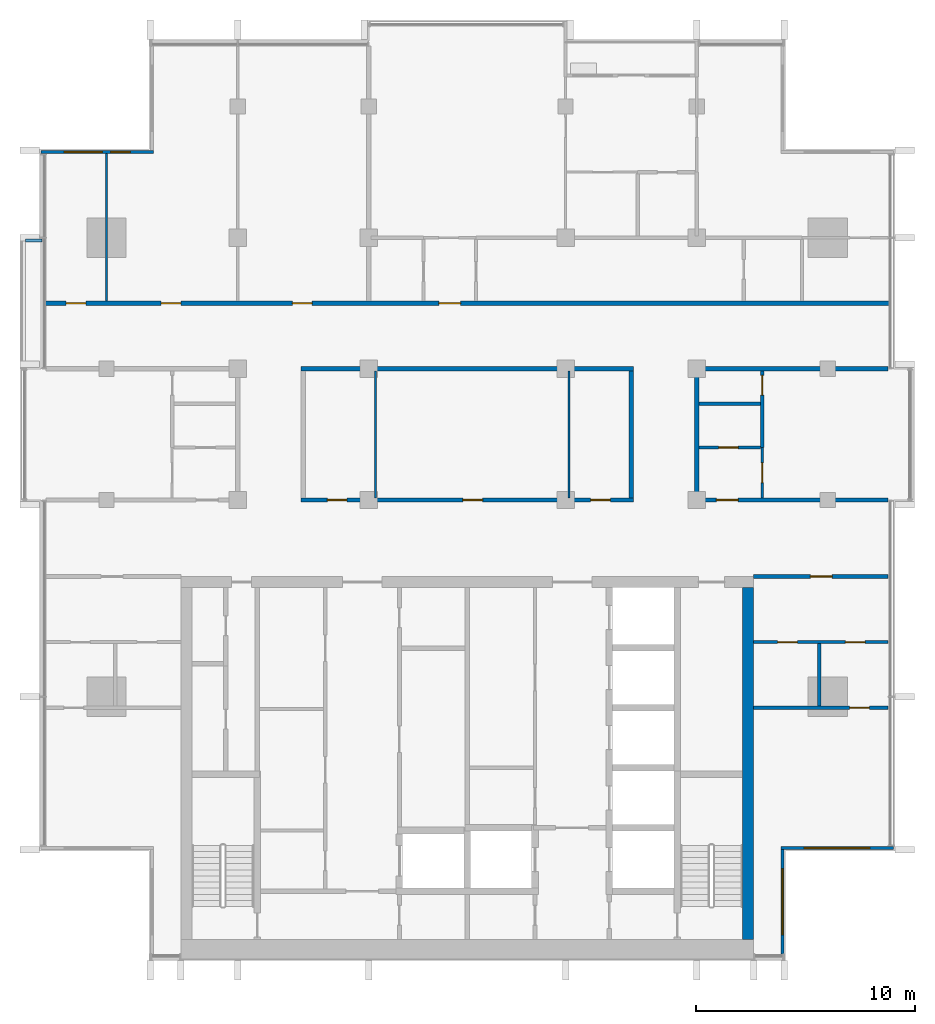
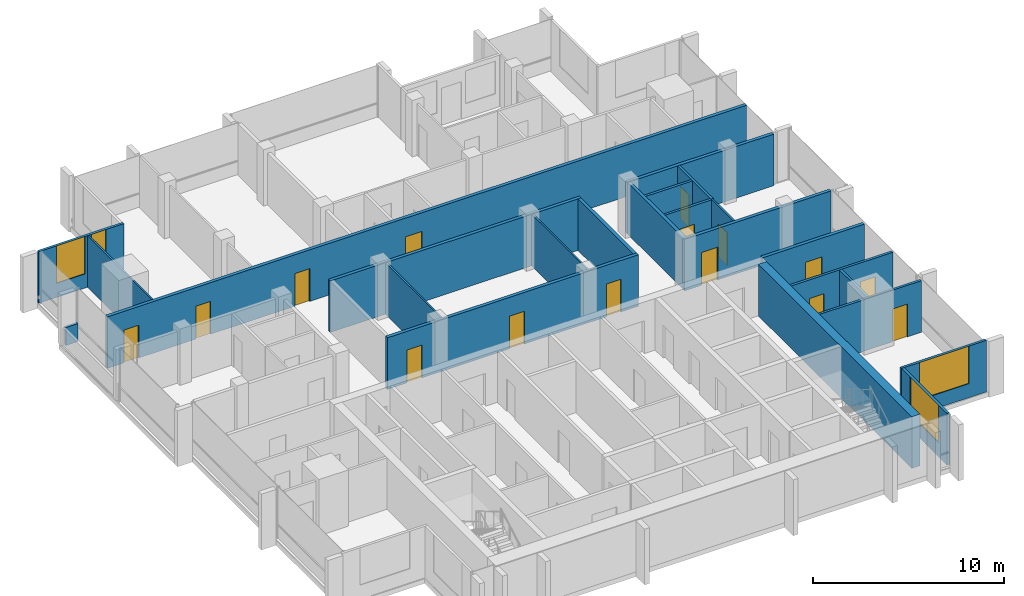
# One storey, part 9 of 16: 23 walls, 15 doors, 4 windows, 19 openings.
"""IFC4 building model written with IfcOpenShell, lengths in metres."""

from ifc_helpers import new_model, si_unit, direction, frame, frame_2d, origin, place, context, subcontext, project, spatial, rectangle, extrude, material, layer, layer_set, type_object, element, fill, save


model = new_model("IFC4")

# Units and contexts
model_context = context("Model", 3, precision=1e-05, world=origin(), true_north=direction((0.0, 1.0)))
body_context = subcontext(model_context, "Body", "Model", "MODEL_VIEW")
ifc_project = project(units=[si_unit("LENGTHUNIT", "METRE"), si_unit("AREAUNIT", "SQUARE_METRE"), si_unit("VOLUMEUNIT", "CUBIC_METRE"), si_unit("PLANEANGLEUNIT", "RADIAN"), si_unit("MASSUNIT", "GRAM", prefix="KILO")], contexts=[model_context])

# Site, building, storey
site_placement = place(None, origin())
site = spatial("IfcSite", under=ifc_project, at=site_placement, CompositionType="ELEMENT")
building_placement = place(site_placement, origin())
building = spatial("IfcBuilding", under=site, at=building_placement, Name="Finial Court Residences", CompositionType="ELEMENT")
storey_placement = place(building_placement, frame((0.0, 0.0, 262.699951171875)))
storey = spatial("IfcBuildingStorey", under=building, at=storey_placement, Name="L66", CompositionType="ELEMENT", Elevation=262.699951171875)

# Wall
ifc_material_1 = material(Name="Concrete C50/60", Category="concrete")
ifc_layer_1 = layer(ifc_material_1, 0.5)
ifc_layer_set_1 = layer_set([ifc_layer_1], Name="Core outer wall 500 Concrete C50/60")
wall_type_1 = type_object("IfcWallType", Name="Core outer wall 500 Concrete C50/60", PredefinedType="SHEAR", material=ifc_layer_set_1)
wall_1_placement = place(storey_placement, frame((12.85009765625, -24.60009765625, 0.0), z_axis=(0.0, 0.0, 1.0), x_axis=(0.0, 1.0, 0.0)))
element("IfcWall", 1, at=wall_1_placement, inside=storey, type_object=wall_type_1, Name="Core outer wall L66-04", PredefinedType="SHEAR", context=body_context, shape_type="SweptSolid", body=[
    extrude(rectangle(XDim=16.10009765625, YDim=0.5, at=frame_2d((8.050048828125, 0.0))), origin(), (0.0, 0.0, 1.0), 3.300048828125),
])

# Wall, opening, door
ifc_material_2 = material(Name="Gypsum board")
ifc_layer_2 = layer(ifc_material_2, 0.02490234375)
ifc_material_3 = material(Name="Acoustic mineral wool in double frame")
ifc_layer_3 = layer(ifc_material_3, 0.14990234375)
ifc_layer_4 = layer(ifc_material_2, 0.02490234375)
ifc_layer_set_2 = layer_set([ifc_layer_2, ifc_layer_3, ifc_layer_4], Name="Corridor wall 200, 1 hour")
wall_type_2 = type_object("IfcWallType", Name="Corridor wall 200, 1 hour", PredefinedType="PARTITIONING", material=ifc_layer_set_2)
wall_2_placement = place(storey_placement, frame((13.10009765625, -8.0, 0.0), z_axis=(0.0, 0.0, 1.0), x_axis=(1.0, 0.0, 0.0)))
wall_2 = element("IfcWall", 2, at=wall_2_placement, inside=storey, type_object=wall_type_2, Name="Partition L66-005", PredefinedType="PARTITIONING", context=body_context, shape_type="SweptSolid", body=[
    extrude(rectangle(XDim=6.162353515625, YDim=0.199951171875, at=frame_2d((3.0810546875, 0.0))), origin(), (0.0, 0.0, 1.0), 3.300048828125),
])
opening_1_placement = place(wall_2_placement, frame((2.60009765625, 0.0, 0.0)))
opening_1 = element("IfcOpeningElement", 3, at=opening_1_placement, cuts=wall_2, Name="Opening L66-D008", PredefinedType="OPENING", context=body_context, shape_type="SweptSolid", body=[
    extrude(rectangle(XDim=1.0, YDim=2.10009765625, at=frame_2d((0.5, 1.050048828125))), frame((0.0, 0.10986328125, 0.0), z_axis=(0.0, -1.0, 0.0), x_axis=(1.0, 0.0, 0.0)), (0.0, 0.0, 1.0), 0.219970703125),
])
ifc_material_4 = material(Name="Timber door leaf in hollow metal frame", Category="wood")
door_type_1 = type_object("IfcDoorType", Name="Fire door set 1000 x 2100, 30 minutes", OperationType="SINGLE_SWING_LEFT", PredefinedType="DOOR", material=ifc_material_4)
door_1_placement = place(opening_1_placement, origin())
door_1 = element("IfcDoor", 4, at=door_1_placement, inside=storey, type_object=door_type_1, Name="Door L66-D008", OperationType="SINGLE_SWING_RIGHT", OverallHeight=2.10009765625, OverallWidth=1.0, PredefinedType="DOOR", context=body_context, shape_type="SweptSolid", body=[
    extrude(rectangle(XDim=1.0, YDim=2.10009765625, at=frame_2d((0.5, 1.050048828125))), frame((0.0, 0.02490234375, 0.0), z_axis=(0.0, -1.0, 0.0), x_axis=(1.0, 0.0, 0.0)), (0.0, 0.0, 1.0), 0.050048828125),
])
fill(opening_1, door_1)

# Wall, openings, doors
wall_3_placement = place(storey_placement, frame((-7.60009765625, -4.5, 0.0), z_axis=(0.0, 0.0, 1.0), x_axis=(1.0, 0.0, 0.0)))
wall_3 = element("IfcWall", 5, at=wall_3_placement, inside=storey, type_object=wall_type_2, Name="Partition L66-007", PredefinedType="PARTITIONING", context=body_context, shape_type="SweptSolid", body=[
    extrude(rectangle(XDim=15.2001953125, YDim=0.199951171875, at=frame_2d((7.60009765625, 0.0))), origin(), (0.0, 0.0, 1.0), 3.300048828125),
])
opening_2_placement = place(wall_3_placement, frame((1.199951171875, 0.0, 0.0)))
opening_2 = element("IfcOpeningElement", 6, at=opening_2_placement, cuts=wall_3, Name="Opening L66-D010", PredefinedType="OPENING", context=body_context, shape_type="SweptSolid", body=[
    extrude(rectangle(XDim=0.89990234375, YDim=2.10009765625, at=frame_2d((0.449951171875, 1.050048828125))), frame((0.0, 0.10986328125, 0.0), z_axis=(0.0, -1.0, 0.0), x_axis=(1.0, 0.0, 0.0)), (0.0, 0.0, 1.0), 0.219970703125),
])
opening_3_placement = place(wall_3_placement, frame((7.39990234375, 0.0, 0.0)))
opening_3 = element("IfcOpeningElement", 7, at=opening_3_placement, cuts=wall_3, Name="Opening L66-D011", PredefinedType="OPENING", context=body_context, shape_type="SweptSolid", body=[
    extrude(rectangle(XDim=0.89990234375, YDim=2.10009765625, at=frame_2d((0.449951171875, 1.050048828125))), frame((0.0, 0.10986328125, 0.0), z_axis=(0.0, -1.0, 0.0), x_axis=(1.0, 0.0, 0.0)), (0.0, 0.0, 1.0), 0.219970703125),
])
opening_4_placement = place(wall_3_placement, frame((13.25, 0.0, 0.0)))
opening_4 = element("IfcOpeningElement", 8, at=opening_4_placement, cuts=wall_3, Name="Opening L66-D012", PredefinedType="OPENING", context=body_context, shape_type="SweptSolid", body=[
    extrude(rectangle(XDim=0.89990234375, YDim=2.10009765625, at=frame_2d((0.449951171875, 1.050048828125))), frame((0.0, 0.10986328125, 0.0), z_axis=(0.0, -1.0, 0.0), x_axis=(1.0, 0.0, 0.0)), (0.0, 0.0, 1.0), 0.219970703125),
])
door_type_2 = type_object("IfcDoorType", Name="Fire door set 900 x 2100, 30 minutes", OperationType="SINGLE_SWING_LEFT", PredefinedType="DOOR", material=ifc_material_4)
door_2_placement = place(opening_2_placement, origin())
door_2 = element("IfcDoor", 9, at=door_2_placement, inside=storey, type_object=door_type_2, Name="Door L66-D010", OperationType="SINGLE_SWING_RIGHT", OverallHeight=2.10009765625, OverallWidth=0.89990234375, PredefinedType="DOOR", context=body_context, shape_type="SweptSolid", body=[
    extrude(rectangle(XDim=0.89990234375, YDim=2.10009765625, at=frame_2d((0.449951171875, 1.050048828125))), frame((0.0, 0.02490234375, 0.0), z_axis=(0.0, -1.0, 0.0), x_axis=(1.0, 0.0, 0.0)), (0.0, 0.0, 1.0), 0.050048828125),
])
fill(opening_2, door_2)
door_3_placement = place(opening_3_placement, origin())
door_3 = element("IfcDoor", 10, at=door_3_placement, inside=storey, type_object=door_type_2, Name="Door L66-D011", OperationType="SINGLE_SWING_LEFT", OverallHeight=2.10009765625, OverallWidth=0.89990234375, PredefinedType="DOOR", context=body_context, shape_type="SweptSolid", body=[
    extrude(rectangle(XDim=0.89990234375, YDim=2.10009765625, at=frame_2d((0.449951171875, 1.050048828125))), frame((0.0, 0.02490234375, 0.0), z_axis=(0.0, -1.0, 0.0), x_axis=(1.0, 0.0, 0.0)), (0.0, 0.0, 1.0), 0.050048828125),
])
fill(opening_3, door_3)
door_4_placement = place(opening_4_placement, origin())
door_4 = element("IfcDoor", 11, at=door_4_placement, inside=storey, type_object=door_type_2, Name="Door L66-D012", OperationType="SINGLE_SWING_LEFT", OverallHeight=2.10009765625, OverallWidth=0.89990234375, PredefinedType="DOOR", context=body_context, shape_type="SweptSolid", body=[
    extrude(rectangle(XDim=0.89990234375, YDim=2.10009765625, at=frame_2d((0.449951171875, 1.050048828125))), frame((0.0, 0.02490234375, 0.0), z_axis=(0.0, -1.0, 0.0), x_axis=(1.0, 0.0, 0.0)), (0.0, 0.0, 1.0), 0.050048828125),
])
fill(opening_4, door_4)

# Wall, opening, door
wall_4_placement = place(storey_placement, frame((10.39990234375, -4.5, 0.0), z_axis=(0.0, 0.0, 1.0), x_axis=(1.0, 0.0, 0.0)))
wall_4 = element("IfcWall", 12, at=wall_4_placement, inside=storey, type_object=wall_type_2, Name="Partition L66-008", PredefinedType="PARTITIONING", context=body_context, shape_type="SweptSolid", body=[
    extrude(rectangle(XDim=8.862548828125, YDim=0.199951171875, at=frame_2d((4.43115234375, 0.0))), origin(), (0.0, 0.0, 1.0), 3.300048828125),
])
opening_5_placement = place(wall_4_placement, frame((1.0, 0.0, 0.0)))
opening_5 = element("IfcOpeningElement", 13, at=opening_5_placement, cuts=wall_4, Name="Opening L66-D013", PredefinedType="OPENING", context=body_context, shape_type="SweptSolid", body=[
    extrude(rectangle(XDim=1.0, YDim=2.10009765625, at=frame_2d((0.5, 1.050048828125))), frame((0.0, 0.10986328125, 0.0), z_axis=(0.0, -1.0, 0.0), x_axis=(1.0, 0.0, 0.0)), (0.0, 0.0, 1.0), 0.219970703125),
])
door_5_placement = place(opening_5_placement, origin())
door_5 = element("IfcDoor", 14, at=door_5_placement, inside=storey, type_object=door_type_1, Name="Door L66-D013", OperationType="SINGLE_SWING_RIGHT", OverallHeight=2.10009765625, OverallWidth=1.0, PredefinedType="DOOR", context=body_context, shape_type="SweptSolid", body=[
    extrude(rectangle(XDim=1.0, YDim=2.10009765625, at=frame_2d((0.5, 1.050048828125))), frame((0.0, 0.02490234375, 0.0), z_axis=(0.0, -1.0, 0.0), x_axis=(1.0, 0.0, 0.0)), (0.0, 0.0, 1.0), 0.050048828125),
])
fill(opening_5, door_5)

# Walls
wall_5_placement = place(storey_placement, frame((-7.60009765625, 1.5, 0.0), z_axis=(0.0, 0.0, 1.0), x_axis=(1.0, 0.0, 0.0)))
element("IfcWall", 15, at=wall_5_placement, inside=storey, type_object=wall_type_2, Name="Partition L66-014", PredefinedType="PARTITIONING", context=body_context, shape_type="SweptSolid", body=[
    extrude(rectangle(XDim=15.2001953125, YDim=0.199951171875, at=frame_2d((7.60009765625, 0.0))), origin(), (0.0, 0.0, 1.0), 3.300048828125),
])
wall_6_placement = place(storey_placement, frame((10.39990234375, 1.5, 0.0), z_axis=(0.0, 0.0, 1.0), x_axis=(1.0, 0.0, 0.0)))
element("IfcWall", 16, at=wall_6_placement, inside=storey, type_object=wall_type_2, Name="Partition L66-015", PredefinedType="PARTITIONING", context=body_context, shape_type="SweptSolid", body=[
    extrude(rectangle(XDim=8.862548828125, YDim=0.199951171875, at=frame_2d((4.43115234375, 0.0))), origin(), (0.0, 0.0, 1.0), 3.300048828125),
])

# Wall, openings, doors
wall_7_placement = place(storey_placement, frame((-19.35009765625, 4.5, 0.0), z_axis=(0.0, 0.0, 1.0), x_axis=(1.0, 0.0, 0.0)))
wall_7 = element("IfcWall", 17, at=wall_7_placement, inside=storey, type_object=wall_type_2, Name="Partition L66-016", PredefinedType="PARTITIONING", context=body_context, shape_type="SweptSolid", body=[
    extrude(rectangle(XDim=38.7001953125, YDim=0.199951171875, at=frame_2d((19.35009765625, 0.0))), origin(), (0.0, 0.0, 1.0), 3.300048828125),
])
opening_6_placement = place(wall_7_placement, frame((1.0, 0.0, 0.0)))
opening_6 = element("IfcOpeningElement", 18, at=opening_6_placement, cuts=wall_7, Name="Opening L66-D016", PredefinedType="OPENING", context=body_context, shape_type="SweptSolid", body=[
    extrude(rectangle(XDim=0.89990234375, YDim=2.10009765625, at=frame_2d((0.449951171875, 1.050048828125))), frame((0.0, 0.10986328125, 0.0), z_axis=(0.0, -1.0, 0.0), x_axis=(1.0, 0.0, 0.0)), (0.0, 0.0, 1.0), 0.219970703125),
])
opening_7_placement = place(wall_7_placement, frame((5.35009765625, 0.0, 0.0)))
opening_7 = element("IfcOpeningElement", 19, at=opening_7_placement, cuts=wall_7, Name="Opening L66-D017", PredefinedType="OPENING", context=body_context, shape_type="SweptSolid", body=[
    extrude(rectangle(XDim=0.89990234375, YDim=2.10009765625, at=frame_2d((0.449951171875, 1.050048828125))), frame((0.0, 0.10986328125, 0.0), z_axis=(0.0, -1.0, 0.0), x_axis=(1.0, 0.0, 0.0)), (0.0, 0.0, 1.0), 0.219970703125),
])
opening_8_placement = place(wall_7_placement, frame((11.35009765625, 0.0, 0.0)))
opening_8 = element("IfcOpeningElement", 20, at=opening_8_placement, cuts=wall_7, Name="Opening L66-D018", PredefinedType="OPENING", context=body_context, shape_type="SweptSolid", body=[
    extrude(rectangle(XDim=0.89990234375, YDim=2.10009765625, at=frame_2d((0.449951171875, 1.050048828125))), frame((0.0, 0.10986328125, 0.0), z_axis=(0.0, -1.0, 0.0), x_axis=(1.0, 0.0, 0.0)), (0.0, 0.0, 1.0), 0.219970703125),
])
opening_9_placement = place(wall_7_placement, frame((18.050048828125, 0.0, 0.0)))
opening_9 = element("IfcOpeningElement", 21, at=opening_9_placement, cuts=wall_7, Name="Opening L66-D019", PredefinedType="OPENING", context=body_context, shape_type="SweptSolid", body=[
    extrude(rectangle(XDim=1.0, YDim=2.10009765625, at=frame_2d((0.5, 1.050048828125))), frame((0.0, 0.10986328125, 0.0), z_axis=(0.0, -1.0, 0.0), x_axis=(1.0, 0.0, 0.0)), (0.0, 0.0, 1.0), 0.219970703125),
])
door_6_placement = place(opening_9_placement, origin())
door_6 = element("IfcDoor", 22, at=door_6_placement, inside=storey, type_object=door_type_1, Name="Door L66-D019", OperationType="SINGLE_SWING_RIGHT", OverallHeight=2.10009765625, OverallWidth=1.0, PredefinedType="DOOR", context=body_context, shape_type="SweptSolid", body=[
    extrude(rectangle(XDim=1.0, YDim=2.10009765625, at=frame_2d((0.5, 1.050048828125))), frame((0.0, 0.02490234375, 0.0), z_axis=(0.0, -1.0, 0.0), x_axis=(1.0, 0.0, 0.0)), (0.0, 0.0, 1.0), 0.050048828125),
])
fill(opening_9, door_6)
door_7_placement = place(opening_6_placement, origin())
door_7 = element("IfcDoor", 23, at=door_7_placement, inside=storey, type_object=door_type_2, Name="Door L66-D016", OperationType="SINGLE_SWING_RIGHT", OverallHeight=2.10009765625, OverallWidth=0.89990234375, PredefinedType="DOOR", context=body_context, shape_type="SweptSolid", body=[
    extrude(rectangle(XDim=0.89990234375, YDim=2.10009765625, at=frame_2d((0.449951171875, 1.050048828125))), frame((0.0, 0.02490234375, 0.0), z_axis=(0.0, -1.0, 0.0), x_axis=(1.0, 0.0, 0.0)), (0.0, 0.0, 1.0), 0.050048828125),
])
fill(opening_6, door_7)
door_8_placement = place(opening_7_placement, origin())
door_8 = element("IfcDoor", 24, at=door_8_placement, inside=storey, type_object=door_type_2, Name="Door L66-D017", OperationType="SINGLE_SWING_RIGHT", OverallHeight=2.10009765625, OverallWidth=0.89990234375, PredefinedType="DOOR", context=body_context, shape_type="SweptSolid", body=[
    extrude(rectangle(XDim=0.89990234375, YDim=2.10009765625, at=frame_2d((0.449951171875, 1.050048828125))), frame((0.0, 0.02490234375, 0.0), z_axis=(0.0, -1.0, 0.0), x_axis=(1.0, 0.0, 0.0)), (0.0, 0.0, 1.0), 0.050048828125),
])
fill(opening_7, door_8)
door_9_placement = place(opening_8_placement, origin())
door_9 = element("IfcDoor", 25, at=door_9_placement, inside=storey, type_object=door_type_2, Name="Door L66-D018", OperationType="SINGLE_SWING_RIGHT", OverallHeight=2.10009765625, OverallWidth=0.89990234375, PredefinedType="DOOR", context=body_context, shape_type="SweptSolid", body=[
    extrude(rectangle(XDim=0.89990234375, YDim=2.10009765625, at=frame_2d((0.449951171875, 1.050048828125))), frame((0.0, 0.02490234375, 0.0), z_axis=(0.0, -1.0, 0.0), x_axis=(1.0, 0.0, 0.0)), (0.0, 0.0, 1.0), 0.050048828125),
])
fill(opening_8, door_9)

# Walls
for number, where, z_axis, x_axis, name in (
    (26, (7.5, -4.39990234375, 0.0), (0.0, 0.0, 1.0), (0.0, 1.0, 0.0), "Partition L66-036"),
    (27, (10.5, -4.39990234375, 0.0), (0.0, 0.0, 1.0), (0.0, 1.0, 0.0), "Partition L66-038"),
):
    element("IfcWall", number, at=place(storey_placement, frame(where, z_axis=z_axis, x_axis=x_axis)), inside=storey, type_object=wall_type_2, Name=name, PredefinedType="PARTITIONING", context=body_context, shape_type="SweptSolid", body=[
        extrude(rectangle(XDim=5.7998046875, YDim=0.199951171875, at=frame_2d((2.89990234375, 0.0))), origin(), (0.0, 0.0, 1.0), 3.300048828125),
    ])
ifc_layer_5 = layer(ifc_material_2, 0.012451171875)
ifc_material_5 = material(Name="Mineral wool in light-gauge frame")
ifc_layer_6 = layer(ifc_material_5, 0.074951171875)
ifc_layer_7 = layer(ifc_material_2, 0.012451171875)
ifc_layer_set_3 = layer_set([ifc_layer_5, ifc_layer_6, ifc_layer_7], Name="Gypsum board partition 100")
wall_type_3 = type_object("IfcWallType", Name="Gypsum board partition 100", PredefinedType="PARTITIONING", material=ifc_layer_set_3)
wall_8_placement = place(storey_placement, frame((-16.5, 4.60009765625, 0.0), z_axis=(0.0, 0.0, 1.0), x_axis=(0.0, 1.0, 0.0)))
element("IfcWall", 28, at=wall_8_placement, inside=storey, type_object=wall_type_3, Name="Partition L66-023", PredefinedType="PARTITIONING", context=body_context, shape_type="SweptSolid", body=[
    extrude(rectangle(XDim=6.75, YDim=0.10009765625, at=frame_2d((3.375, 0.0))), origin(), (0.0, 0.0, 1.0), 3.300048828125),
])
for number, where, z_axis, x_axis, name in (
    (29, (-4.199951171875, -4.39990234375, 0.0), (0.0, 0.0, 1.0), (0.0, 1.0, 0.0), "Partition L66-031"),
    (30, (4.64990234375, -4.39990234375, 0.0), (0.0, 0.0, 1.0), (0.0, 1.0, 0.0), "Partition L66-035"),
):
    element("IfcWall", number, at=place(storey_placement, frame(where, z_axis=z_axis, x_axis=x_axis)), inside=storey, type_object=wall_type_3, Name=name, PredefinedType="PARTITIONING", context=body_context, shape_type="SweptSolid", body=[
        extrude(rectangle(XDim=5.7998046875, YDim=0.10009765625, at=frame_2d((2.89990234375, 0.0))), origin(), (0.0, 0.0, 1.0), 3.300048828125),
    ])

# Wall, opening, door
wall_9_placement = place(storey_placement, frame((13.5, -4.39990234375, 0.0), z_axis=(0.0, 0.0, 1.0), x_axis=(0.0, 1.0, 0.0)))
wall_9 = element("IfcWall", 31, at=wall_9_placement, inside=storey, type_object=wall_type_3, Name="Partition L66-042", PredefinedType="PARTITIONING", context=body_context, shape_type="SweptSolid", body=[
    extrude(rectangle(XDim=2.2998046875, YDim=0.10009765625, at=frame_2d((1.14990234375, 0.0))), origin(), (0.0, 0.0, 1.0), 3.300048828125),
])
opening_10_placement = place(wall_9_placement, frame((0.699951171875, 0.0, 0.0)))
opening_10 = element("IfcOpeningElement", 32, at=opening_10_placement, cuts=wall_9, Name="Opening L66-D031", PredefinedType="OPENING", context=body_context, shape_type="SweptSolid", body=[
    extrude(rectangle(XDim=0.89990234375, YDim=2.10009765625, at=frame_2d((0.449951171875, 1.050048828125))), frame((0.0, 0.06005859375, 0.0), z_axis=(0.0, -1.0, 0.0), x_axis=(1.0, 0.0, 0.0)), (0.0, 0.0, 1.0), 0.1201171875),
])
ifc_material_6 = material(Name="Timber door leaf in timber frame", Category="wood")
door_type_3 = type_object("IfcDoorType", Name="Door set 900 x 2100", OperationType="SINGLE_SWING_LEFT", PredefinedType="DOOR", material=ifc_material_6)
door_10_placement = place(opening_10_placement, origin())
door_10 = element("IfcDoor", 33, at=door_10_placement, inside=storey, type_object=door_type_3, Name="Door L66-D031", OperationType="SINGLE_SWING_LEFT", OverallHeight=2.10009765625, OverallWidth=0.89990234375, PredefinedType="DOOR", context=body_context, shape_type="SweptSolid", body=[
    extrude(rectangle(XDim=0.89990234375, YDim=2.10009765625, at=frame_2d((0.449951171875, 1.050048828125))), frame((0.0, 0.02490234375, 0.0), z_axis=(0.0, -1.0, 0.0), x_axis=(1.0, 0.0, 0.0)), (0.0, 0.0, 1.0), 0.050048828125),
])
fill(opening_10, door_10)

ifc_material_7 = material(Name="Moisture-resistant gypsum board")
ifc_layer_8 = layer(ifc_material_7, 0.012451171875)
ifc_layer_9 = layer(ifc_material_5, 0.125)
ifc_layer_10 = layer(ifc_material_7, 0.012451171875)
ifc_layer_set_4 = layer_set([ifc_layer_8, ifc_layer_9, ifc_layer_10], Name="Gypsum board wet-area partition 150")
wall_type_4 = type_object("IfcWallType", Name="Gypsum board wet-area partition 150", PredefinedType="PARTITIONING", material=ifc_layer_set_4)
wall_10_placement = place(storey_placement, frame((13.10009765625, -14.0, 0.0), z_axis=(0.0, 0.0, 1.0), x_axis=(1.0, 0.0, 0.0)))
wall_10 = element("IfcWall", 34, at=wall_10_placement, inside=storey, type_object=wall_type_4, Name="Partition L66-001", PredefinedType="PARTITIONING", context=body_context, shape_type="SweptSolid", body=[
    extrude(rectangle(XDim=6.162353515625, YDim=0.14990234375, at=frame_2d((3.0810546875, 0.0))), origin(), (0.0, 0.0, 1.0), 3.300048828125),
])
opening_11_placement = place(wall_10_placement, frame((4.39990234375, 0.0, 0.0)))
opening_11 = element("IfcOpeningElement", 35, at=opening_11_placement, cuts=wall_10, Name="Opening L66-D002", PredefinedType="OPENING", context=body_context, shape_type="SweptSolid", body=[
    extrude(rectangle(XDim=0.89990234375, YDim=2.10009765625, at=frame_2d((0.449951171875, 1.050048828125))), frame((0.0, 0.0849609375, 0.0), z_axis=(0.0, -1.0, 0.0), x_axis=(1.0, 0.0, 0.0)), (0.0, 0.0, 1.0), 0.169921875),
])
door_11_placement = place(opening_11_placement, origin())
door_11 = element("IfcDoor", 36, at=door_11_placement, inside=storey, type_object=door_type_3, Name="Door L66-D002", OperationType="SINGLE_SWING_RIGHT", OverallHeight=2.10009765625, OverallWidth=0.89990234375, PredefinedType="DOOR", context=body_context, shape_type="SweptSolid", body=[
    extrude(rectangle(XDim=0.89990234375, YDim=2.10009765625, at=frame_2d((0.449951171875, 1.050048828125))), frame((0.0, 0.02490234375, 0.0), z_axis=(0.0, -1.0, 0.0), x_axis=(1.0, 0.0, 0.0)), (0.0, 0.0, 1.0), 0.050048828125),
])
fill(opening_11, door_11)

# Wall, openings, doors
wall_11_placement = place(storey_placement, frame((13.10009765625, -11.0, 0.0), z_axis=(0.0, 0.0, 1.0), x_axis=(1.0, 0.0, 0.0)))
wall_11 = element("IfcWall", 37, at=wall_11_placement, inside=storey, type_object=wall_type_4, Name="Partition L66-003", PredefinedType="PARTITIONING", context=body_context, shape_type="SweptSolid", body=[
    extrude(rectangle(XDim=6.162353515625, YDim=0.14990234375, at=frame_2d((3.0810546875, 0.0))), origin(), (0.0, 0.0, 1.0), 3.300048828125),
])
opening_12_placement = place(wall_11_placement, frame((1.10009765625, 0.0, 0.0)))
opening_12 = element("IfcOpeningElement", 38, at=opening_12_placement, cuts=wall_11, Name="Opening L66-D005", PredefinedType="OPENING", context=body_context, shape_type="SweptSolid", body=[
    extrude(rectangle(XDim=0.89990234375, YDim=2.10009765625, at=frame_2d((0.449951171875, 1.050048828125))), frame((0.0, 0.0849609375, 0.0), z_axis=(0.0, -1.0, 0.0), x_axis=(1.0, 0.0, 0.0)), (0.0, 0.0, 1.0), 0.169921875),
])
opening_13_placement = place(wall_11_placement, frame((4.199951171875, 0.0, 0.0)))
opening_13 = element("IfcOpeningElement", 39, at=opening_13_placement, cuts=wall_11, Name="Opening L66-D006", PredefinedType="OPENING", context=body_context, shape_type="SweptSolid", body=[
    extrude(rectangle(XDim=0.89990234375, YDim=2.10009765625, at=frame_2d((0.449951171875, 1.050048828125))), frame((0.0, 0.0849609375, 0.0), z_axis=(0.0, -1.0, 0.0), x_axis=(1.0, 0.0, 0.0)), (0.0, 0.0, 1.0), 0.169921875),
])
door_12_placement = place(opening_12_placement, origin())
door_12 = element("IfcDoor", 40, at=door_12_placement, inside=storey, type_object=door_type_3, Name="Door L66-D005", OperationType="SINGLE_SWING_LEFT", OverallHeight=2.10009765625, OverallWidth=0.89990234375, PredefinedType="DOOR", context=body_context, shape_type="SweptSolid", body=[
    extrude(rectangle(XDim=0.89990234375, YDim=2.10009765625, at=frame_2d((0.449951171875, 1.050048828125))), frame((0.0, 0.02490234375, 0.0), z_axis=(0.0, -1.0, 0.0), x_axis=(1.0, 0.0, 0.0)), (0.0, 0.0, 1.0), 0.050048828125),
])
fill(opening_12, door_12)
door_13_placement = place(opening_13_placement, origin())
door_13 = element("IfcDoor", 41, at=door_13_placement, inside=storey, type_object=door_type_3, Name="Door L66-D006", OperationType="SINGLE_SWING_RIGHT", OverallHeight=2.10009765625, OverallWidth=0.89990234375, PredefinedType="DOOR", context=body_context, shape_type="SweptSolid", body=[
    extrude(rectangle(XDim=0.89990234375, YDim=2.10009765625, at=frame_2d((0.449951171875, 1.050048828125))), frame((0.0, 0.02490234375, 0.0), z_axis=(0.0, -1.0, 0.0), x_axis=(1.0, 0.0, 0.0)), (0.0, 0.0, 1.0), 0.050048828125),
])
fill(opening_13, door_13)

# Wall, opening, door
wall_12_placement = place(storey_placement, frame((10.60009765625, -2.10009765625, 0.0), z_axis=(0.0, 0.0, 1.0), x_axis=(1.0, 0.0, 0.0)))
wall_12 = element("IfcWall", 42, at=wall_12_placement, inside=storey, type_object=wall_type_4, Name="Partition L66-010", PredefinedType="PARTITIONING", context=body_context, shape_type="SweptSolid", body=[
    extrude(rectangle(XDim=2.824951171875, YDim=0.14990234375, at=frame_2d((1.41259765625, 0.0))), origin(), (0.0, 0.0, 1.0), 3.300048828125),
])
opening_14_placement = place(wall_12_placement, frame((0.89990234375, 0.0, 0.0)))
opening_14 = element("IfcOpeningElement", 43, at=opening_14_placement, cuts=wall_12, Name="Opening L66-D015", PredefinedType="OPENING", context=body_context, shape_type="SweptSolid", body=[
    extrude(rectangle(XDim=0.89990234375, YDim=2.10009765625, at=frame_2d((0.449951171875, 1.050048828125))), frame((0.0, 0.0849609375, 0.0), z_axis=(0.0, -1.0, 0.0), x_axis=(1.0, 0.0, 0.0)), (0.0, 0.0, 1.0), 0.169921875),
])
door_14_placement = place(opening_14_placement, origin())
door_14 = element("IfcDoor", 44, at=door_14_placement, inside=storey, type_object=door_type_3, Name="Door L66-D015", OperationType="SINGLE_SWING_LEFT", OverallHeight=2.10009765625, OverallWidth=0.89990234375, PredefinedType="DOOR", context=body_context, shape_type="SweptSolid", body=[
    extrude(rectangle(XDim=0.89990234375, YDim=2.10009765625, at=frame_2d((0.449951171875, 1.050048828125))), frame((0.0, 0.02490234375, 0.0), z_axis=(0.0, -1.0, 0.0), x_axis=(1.0, 0.0, 0.0)), (0.0, 0.0, 1.0), 0.050048828125),
])
fill(opening_14, door_14)

# Wall
wall_13_placement = place(storey_placement, frame((10.60009765625, -0.10009765625, 0.0), z_axis=(0.0, 0.0, 1.0), x_axis=(1.0, 0.0, 0.0)))
element("IfcWall", 45, at=wall_13_placement, inside=storey, type_object=wall_type_4, Name="Partition L66-012", PredefinedType="PARTITIONING", context=body_context, shape_type="SweptSolid", body=[
    extrude(rectangle(XDim=2.824951171875, YDim=0.14990234375, at=frame_2d((1.41259765625, 0.0))), origin(), (0.0, 0.0, 1.0), 3.300048828125),
])

# Wall, opening, door
wall_14_placement = place(storey_placement, frame((13.5, -2.10009765625, 0.0), z_axis=(0.0, 0.0, 1.0), x_axis=(0.0, 1.0, 0.0)))
wall_14 = element("IfcWall", 46, at=wall_14_placement, inside=storey, type_object=wall_type_4, Name="Partition L66-043", PredefinedType="PARTITIONING", context=body_context, shape_type="SweptSolid", body=[
    extrude(rectangle(XDim=3.5, YDim=0.14990234375, at=frame_2d((1.75, 0.0))), origin(), (0.0, 0.0, 1.0), 3.300048828125),
])
opening_15_placement = place(wall_14_placement, frame((2.39990234375, 0.0, 0.0)))
opening_15 = element("IfcOpeningElement", 47, at=opening_15_placement, cuts=wall_14, Name="Opening L66-D032", PredefinedType="OPENING", context=body_context, shape_type="SweptSolid", body=[
    extrude(rectangle(XDim=0.89990234375, YDim=2.10009765625, at=frame_2d((0.449951171875, 1.050048828125))), frame((0.0, 0.0849609375, 0.0), z_axis=(0.0, -1.0, 0.0), x_axis=(1.0, 0.0, 0.0)), (0.0, 0.0, 1.0), 0.169921875),
])
door_15_placement = place(opening_15_placement, origin())
door_15 = element("IfcDoor", 48, at=door_15_placement, inside=storey, type_object=door_type_3, Name="Door L66-D032", OperationType="SINGLE_SWING_LEFT", OverallHeight=2.10009765625, OverallWidth=0.89990234375, PredefinedType="DOOR", context=body_context, shape_type="SweptSolid", body=[
    extrude(rectangle(XDim=0.89990234375, YDim=2.10009765625, at=frame_2d((0.449951171875, 1.050048828125))), frame((0.0, 0.02490234375, 0.0), z_axis=(0.0, -1.0, 0.0), x_axis=(1.0, 0.0, 0.0)), (0.0, 0.0, 1.0), 0.050048828125),
])
fill(opening_15, door_15)

# Walls
wall_15_placement = place(storey_placement, frame((16.10009765625, -13.925048828125, 0.0), z_axis=(0.0, 0.0, 1.0), x_axis=(0.0, 1.0, 0.0)))
element("IfcWall", 49, at=wall_15_placement, inside=storey, type_object=wall_type_4, Name="Partition L66-045", PredefinedType="PARTITIONING", context=body_context, shape_type="SweptSolid", body=[
    extrude(rectangle(XDim=2.85009765625, YDim=0.14990234375, at=frame_2d((1.425048828125, 0.0))), origin(), (0.0, 0.0, 1.0), 3.300048828125),
])
ifc_material_8 = material(Name="Concrete C35/45", Category="concrete")
ifc_layer_11 = layer(ifc_material_8, 0.14990234375)
ifc_layer_set_5 = layer_set([ifc_layer_11], Name="Ledge parapet, Concrete C35/45 150")
wall_type_5 = type_object("IfcWallType", Name="Ledge parapet, Concrete C35/45 150", PredefinedType="PARAPET", material=ifc_layer_set_5)
wall_16_placement = place(storey_placement, frame((-20.199951171875, 7.375, 0.0), z_axis=(0.0, 0.0, 1.0), x_axis=(1.0, 0.0, 0.0)))
element("IfcWall", 50, at=wall_16_placement, inside=storey, type_object=wall_type_5, Name="E-L66-LED1-P2", PredefinedType="PARAPET", context=body_context, shape_type="SweptSolid", body=[
    extrude(rectangle(XDim=0.75244140625, YDim=0.14990234375, at=frame_2d((0.376220703125, 0.0))), origin(), (0.0, 0.0, 1.0), 1.150146484375),
])

# Wall, opening, window
ifc_material_9 = material(Name="Natural limestone", Category="masonry")
ifc_layer_12 = layer(ifc_material_9, 0.14990234375)
ifc_layer_set_6 = layer_set([ifc_layer_12], Name="Limestone clad wall 150")
wall_type_6 = type_object("IfcWallType", Name="Limestone clad wall 150", PredefinedType="SOLIDWALL", material=ifc_layer_set_6)
wall_17_placement = place(storey_placement, frame((14.425048828125, -20.5, 0.0), z_axis=(0.0, 0.0, 1.0), x_axis=(0.0, -1.0, 0.0)))
wall_17 = element("IfcWall", 51, at=wall_17_placement, inside=storey, type_object=wall_type_6, Name="E-L66-NWE14", PredefinedType="SOLIDWALL", context=body_context, shape_type="SweptSolid", body=[
    extrude(rectangle(XDim=4.762451171875, YDim=0.14990234375, at=frame_2d((2.38134765625, 0.0))), origin(), (0.0, 0.0, 1.0), 3.300048828125),
])
opening_16_placement = place(wall_17_placement, frame((0.88134765625, 0.0, 0.89990234375)))
opening_16 = element("IfcOpeningElement", 52, at=opening_16_placement, cuts=wall_17, Name="Opening WE66-03", PredefinedType="OPENING", context=body_context, shape_type="SweptSolid", body=[
    extrude(rectangle(XDim=3.0, YDim=2.39990234375, at=frame_2d((1.5, 1.199951171875))), frame((0.0, 0.0849609375, 0.0), z_axis=(0.0, -1.0, 0.0), x_axis=(1.0, 0.0, 0.0)), (0.0, 0.0, 1.0), 0.169921875),
])
ifc_material_10 = material(Name="Clear low-e glass", Category="glass")
window_type_1 = type_object("IfcWindowType", Name="Corner window 3000 x 2400", PartitioningType="SINGLE_PANEL", PredefinedType="WINDOW", material=ifc_material_10)
window_1_placement = place(opening_16_placement, origin())
window_1 = element("IfcWindow", 53, at=window_1_placement, inside=storey, type_object=window_type_1, Name="E-L66-NWE14-W1", OverallHeight=2.39990234375, OverallWidth=3.0, PartitioningType="SINGLE_PANEL", PredefinedType="WINDOW", context=body_context, shape_type="SweptSolid", body=[
    extrude(rectangle(XDim=3.0, YDim=2.39990234375, at=frame_2d((1.5, 1.199951171875))), frame((0.0, 0.030029296875, 0.0), z_axis=(0.0, -1.0, 0.0), x_axis=(1.0, 0.0, 0.0)), (0.0, 0.0, 1.0), 0.06005859375),
])
fill(opening_16, window_1)

wall_18_placement = place(storey_placement, frame((19.5, -20.425048828125, 0.0), z_axis=(0.0, 0.0, 1.0), x_axis=(-1.0, 0.0, 0.0)))
wall_18 = element("IfcWall", 54, at=wall_18_placement, inside=storey, type_object=wall_type_6, Name="E-L66-NWS15", PredefinedType="SOLIDWALL", context=body_context, shape_type="SweptSolid", body=[
    extrude(rectangle(XDim=5.14990234375, YDim=0.14990234375, at=frame_2d((2.574951171875, 0.0))), origin(), (0.0, 0.0, 1.0), 3.300048828125),
])
opening_17_placement = place(wall_18_placement, frame((1.074951171875, 0.0, 0.89990234375)))
opening_17 = element("IfcOpeningElement", 55, at=opening_17_placement, cuts=wall_18, Name="Opening WE66-04", PredefinedType="OPENING", context=body_context, shape_type="SweptSolid", body=[
    extrude(rectangle(XDim=3.0, YDim=2.39990234375, at=frame_2d((1.5, 1.199951171875))), frame((0.0, 0.0849609375, 0.0), z_axis=(0.0, -1.0, 0.0), x_axis=(1.0, 0.0, 0.0)), (0.0, 0.0, 1.0), 0.169921875),
])
window_2_placement = place(opening_17_placement, origin())
window_2 = element("IfcWindow", 56, at=window_2_placement, inside=storey, type_object=window_type_1, Name="E-L66-NWS15-W1", OverallHeight=2.39990234375, OverallWidth=3.0, PartitioningType="SINGLE_PANEL", PredefinedType="WINDOW", context=body_context, shape_type="SweptSolid", body=[
    extrude(rectangle(XDim=3.0, YDim=2.39990234375, at=frame_2d((1.5, 1.199951171875))), frame((0.0, 0.030029296875, 0.0), z_axis=(0.0, -1.0, 0.0), x_axis=(1.0, 0.0, 0.0)), (0.0, 0.0, 1.0), 0.06005859375),
])
fill(opening_17, window_2)

# Wall, openings, windows
wall_19_placement = place(storey_placement, frame((-19.5, 11.425048828125, 0.0), z_axis=(0.0, 0.0, 1.0), x_axis=(1.0, 0.0, 0.0)))
wall_19 = element("IfcWall", 57, at=wall_19_placement, inside=storey, type_object=wall_type_6, Name="E-L66-NWN17", PredefinedType="SOLIDWALL", context=body_context, shape_type="SweptSolid", body=[
    extrude(rectangle(XDim=5.14990234375, YDim=0.14990234375, at=frame_2d((2.574951171875, 0.0))), origin(), (0.0, 0.0, 1.0), 3.300048828125),
])
opening_18_placement = place(wall_19_placement, frame((1.074951171875, 0.0, 0.89990234375)))
opening_18 = element("IfcOpeningElement", 58, at=opening_18_placement, cuts=wall_19, Name="Opening WE66-06", PredefinedType="OPENING", context=body_context, shape_type="SweptSolid", body=[
    extrude(rectangle(XDim=1.72509765625, YDim=2.39990234375, at=frame_2d((0.862548828125, 1.199951171875))), frame((0.0, 0.0849609375, 0.0), z_axis=(0.0, -1.0, 0.0), x_axis=(1.0, 0.0, 0.0)), (0.0, 0.0, 1.0), 0.169921875),
])
opening_19_placement = place(wall_19_placement, frame((3.199951171875, 0.0, 0.89990234375)))
opening_19 = element("IfcOpeningElement", 59, at=opening_19_placement, cuts=wall_19, Name="Opening WE66-07", PredefinedType="OPENING", context=body_context, shape_type="SweptSolid", body=[
    extrude(rectangle(XDim=0.875, YDim=2.39990234375, at=frame_2d((0.4375, 1.199951171875))), frame((0.0, 0.0849609375, 0.0), z_axis=(0.0, -1.0, 0.0), x_axis=(1.0, 0.0, 0.0)), (0.0, 0.0, 1.0), 0.169921875),
])
window_type_2 = type_object("IfcWindowType", Name="Corner window 1725 x 2400", PartitioningType="SINGLE_PANEL", PredefinedType="WINDOW", material=ifc_material_10)
window_3_placement = place(opening_18_placement, origin())
window_3 = element("IfcWindow", 60, at=window_3_placement, inside=storey, type_object=window_type_2, Name="E-L66-NWN17-W1", OverallHeight=2.39990234375, OverallWidth=1.72509765625, PartitioningType="SINGLE_PANEL", PredefinedType="WINDOW", context=body_context, shape_type="SweptSolid", body=[
    extrude(rectangle(XDim=1.72509765625, YDim=2.39990234375, at=frame_2d((0.862548828125, 1.199951171875))), frame((0.0, 0.030029296875, 0.0), z_axis=(0.0, -1.0, 0.0), x_axis=(1.0, 0.0, 0.0)), (0.0, 0.0, 1.0), 0.06005859375),
])
fill(opening_18, window_3)
window_type_3 = type_object("IfcWindowType", Name="Corner window 875 x 2400", PartitioningType="SINGLE_PANEL", PredefinedType="WINDOW", material=ifc_material_10)
window_4_placement = place(opening_19_placement, origin())
window_4 = element("IfcWindow", 61, at=window_4_placement, inside=storey, type_object=window_type_3, Name="E-L66-NWN17-W2", OverallHeight=2.39990234375, OverallWidth=0.875, PartitioningType="SINGLE_PANEL", PredefinedType="WINDOW", context=body_context, shape_type="SweptSolid", body=[
    extrude(rectangle(XDim=0.875, YDim=2.39990234375, at=frame_2d((0.4375, 1.199951171875))), frame((0.0, 0.030029296875, 0.0), z_axis=(0.0, -1.0, 0.0), x_axis=(1.0, 0.0, 0.0)), (0.0, 0.0, 1.0), 0.06005859375),
])
fill(opening_19, window_4)

save(model, "model.ifc")
